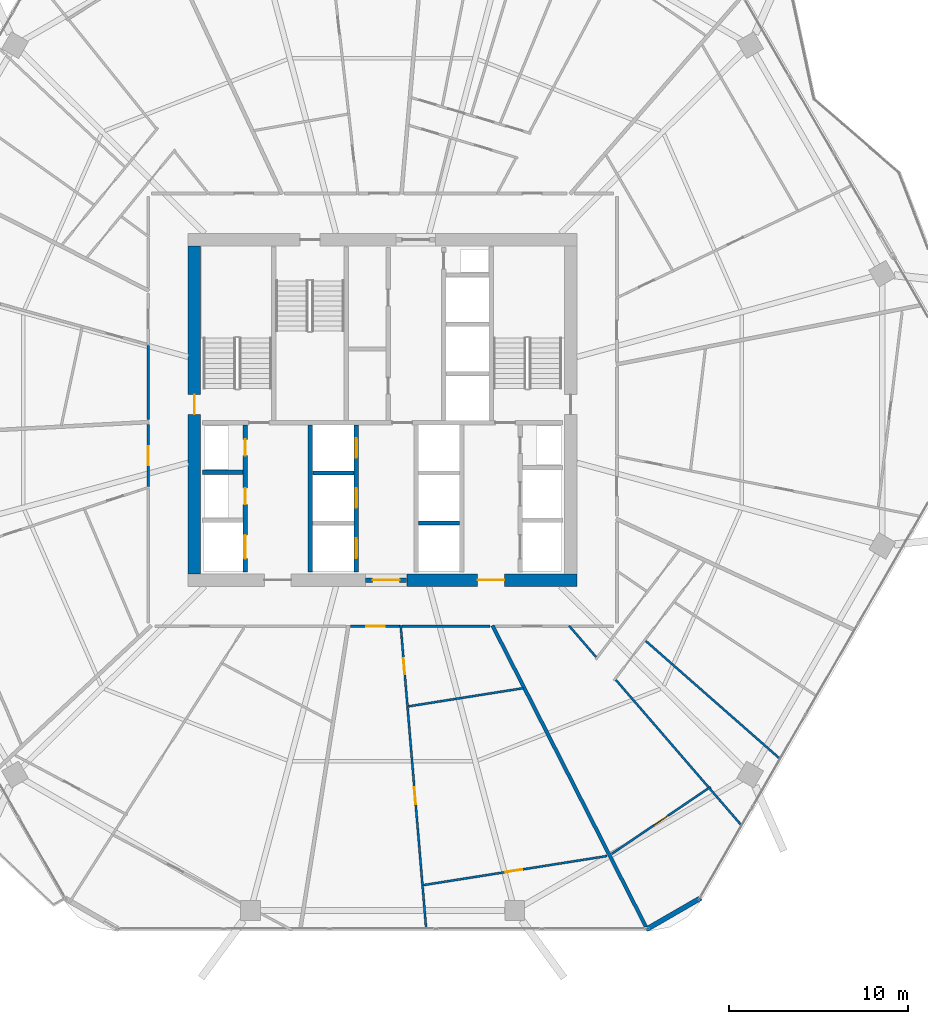
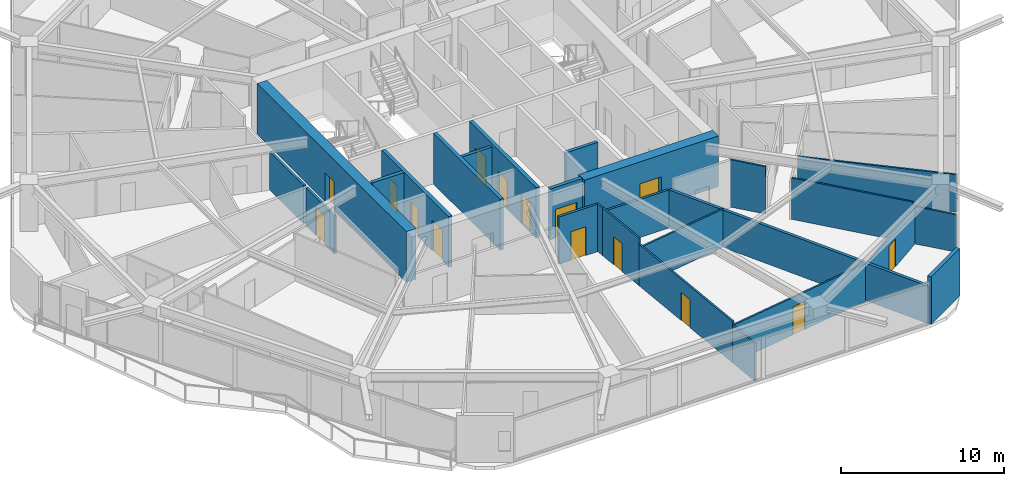
# One storey, part 22 of 29: 26 walls, 15 doors, 15 openings.
"""IFC4 building model written with IfcOpenShell, lengths in metres."""

from ifc_helpers import new_model, si_unit, direction, frame, frame_2d, origin, place, context, subcontext, project, spatial, rectangle, extrude, material, layer, layer_set, type_object, element, fill, save


model = new_model("IFC4")

# Units and contexts
model_context = context("Model", 3, precision=1e-05, world=origin(), true_north=direction((0.0, 1.0)))
body_context = subcontext(model_context, "Body", "Model", "MODEL_VIEW")
ifc_project = project(units=[si_unit("LENGTHUNIT", "METRE"), si_unit("AREAUNIT", "SQUARE_METRE"), si_unit("VOLUMEUNIT", "CUBIC_METRE"), si_unit("PLANEANGLEUNIT", "RADIAN"), si_unit("MASSUNIT", "GRAM", prefix="KILO")], contexts=[model_context])

# Site, building, storey
site_placement = place(None, origin())
site = spatial("IfcSite", under=ifc_project, at=site_placement, CompositionType="ELEMENT")
building_placement = place(site_placement, origin())
building = spatial("IfcBuilding", under=site, at=building_placement, Name="Zuhravey Tower", CompositionType="ELEMENT")
storey_placement = place(building_placement, frame((0.0, 0.0, 134.199951171875)))
storey = spatial("IfcBuildingStorey", under=building, at=storey_placement, Name="L33", CompositionType="ELEMENT", Elevation=134.199951171875)

# Wall, opening, door
ifc_material_1 = material(Name="Concrete C60/75", Category="concrete")
ifc_layer_1 = layer(ifc_material_1, 0.699951171875)
ifc_layer_set_1 = layer_set([ifc_layer_1], Name="Concrete C60/75")
wall_type_1 = type_object("IfcWallType", Name="Core Shear Wall 700", PredefinedType="SHEAR", material=ifc_layer_set_1)
wall_1_placement = place(storey_placement, frame((37.35009765625, 22.5, 0.0), z_axis=(0.0, 0.0, 1.0), x_axis=(1.0, 0.0, 0.0)))
wall_1 = element("IfcWall", 1, at=wall_1_placement, inside=storey, type_object=wall_type_1, Name="L33 South-East Core Shear Wall CW70", PredefinedType="SHEAR", context=body_context, shape_type="SweptSolid", body=[
    extrude(rectangle(XDim=9.5, YDim=0.699951171875, at=frame_2d((4.75, 0.0))), origin(), (0.0, 0.0, 1.0), 3.800048828125),
])
opening_1_placement = place(wall_1_placement, frame((3.949951171875, 0.0, 0.0)))
opening_1 = element("IfcOpeningElement", 2, at=opening_1_placement, cuts=wall_1, Name="Opening FFD1", PredefinedType="OPENING", context=body_context, shape_type="SweptSolid", body=[
    extrude(rectangle(XDim=1.5, YDim=2.14990234375, at=frame_2d((0.75, 1.074951171875))), frame((0.0, 0.362060546875, 0.0), z_axis=(0.0, -1.0, 0.0), x_axis=(1.0, 0.0, 0.0)), (0.0, 0.0, 1.0), 0.723876953125),
])
ifc_material_2 = material(Name="Galvanised fire-rated steel leaf", Category="steel")
door_type_1 = type_object("IfcDoorType", Name="Firefighting Lobby Double Door 1500x2150", OperationType="DOUBLE_DOOR_SINGLE_SWING", PredefinedType="DOOR", material=ifc_material_2)
door_1_placement = place(opening_1_placement, origin())
door_1 = element("IfcDoor", 3, at=door_1_placement, inside=storey, type_object=door_type_1, Name="L33 Firefighting Lobby East Door", OperationType="DOUBLE_DOOR_SINGLE_SWING", OverallHeight=2.14990234375, OverallWidth=1.5, PredefinedType="DOOR", context=body_context, shape_type="SweptSolid", body=[
    extrude(rectangle(XDim=1.5, YDim=2.14990234375, at=frame_2d((0.75, 1.074951171875))), frame((0.0, 0.02490234375, 0.0), z_axis=(0.0, -1.0, 0.0), x_axis=(1.0, 0.0, 0.0)), (0.0, 0.0, 1.0), 0.050048828125),
])
fill(opening_1, door_1)

wall_2_placement = place(storey_placement, frame((25.5, 22.85009765625, 0.0), z_axis=(0.0, 0.0, 1.0), x_axis=(0.0, 1.0, 0.0)))
wall_2 = element("IfcWall", 4, at=wall_2_placement, inside=storey, type_object=wall_type_1, Name="L33 West Core Shear Wall CW70", PredefinedType="SHEAR", context=body_context, shape_type="SweptSolid", body=[
    extrude(rectangle(XDim=18.2998046875, YDim=0.699951171875, at=frame_2d((9.14990234375, 0.0))), origin(), (0.0, 0.0, 1.0), 3.800048828125),
])
opening_2_placement = place(wall_2_placement, frame((8.89990234375, 0.0, 0.0)))
opening_2 = element("IfcOpeningElement", 5, at=opening_2_placement, cuts=wall_2, Name="Opening STD1", PredefinedType="OPENING", context=body_context, shape_type="SweptSolid", body=[
    extrude(rectangle(XDim=1.10009765625, YDim=2.14990234375, at=frame_2d((0.550048828125, 1.074951171875))), frame((0.0, 0.362060546875, 0.0), z_axis=(0.0, -1.0, 0.0), x_axis=(1.0, 0.0, 0.0)), (0.0, 0.0, 1.0), 0.723876953125),
])
door_type_2 = type_object("IfcDoorType", Name="Protected Stair Fire Door 1100x2150", OperationType="NOTDEFINED", PredefinedType="USERDEFINED", material=ifc_material_2)
door_2_placement = place(opening_2_placement, frame((1.10009765625, 0.0, 0.0), z_axis=(0.0, 0.0, 1.0), x_axis=(-1.0, 0.0, 0.0)))
door_2 = element("IfcDoor", 6, at=door_2_placement, inside=storey, type_object=door_type_2, Name="L33 Stair ST1 Door", ObjectType="EXITDOOR", OperationType="SINGLE_SWING_LEFT", OverallHeight=2.14990234375, OverallWidth=1.10009765625, PredefinedType="USERDEFINED", context=body_context, shape_type="SweptSolid", body=[
    extrude(rectangle(XDim=1.10009765625, YDim=2.14990234375, at=frame_2d((0.550048828125, 1.074951171875))), frame((0.0, 0.02490234375, 0.0), z_axis=(0.0, -1.0, 0.0), x_axis=(1.0, 0.0, 0.0)), (0.0, 0.0, 1.0), 0.050048828125),
])
fill(opening_2, door_2)

ifc_material_3 = material(Name="Gypsum fire-rated stud partition")
ifc_layer_2 = layer(ifc_material_3, 0.159912109375)
ifc_layer_set_2 = layer_set([ifc_layer_2], Name="Gypsum fire-rated stud partition")
wall_type_2 = type_object("IfcWallType", Name="Corridor Fire Partition 160", PredefinedType="PARTITIONING", material=ifc_layer_set_2)
wall_3_placement = place(storey_placement, frame((22.919921875, 31.179931640625, 0.0), z_axis=(0.0, 0.0, 1.0), x_axis=(0.0, -1.0, 0.0)))
wall_3 = element("IfcWall", 7, at=wall_3_placement, inside=storey, type_object=wall_type_2, Name="L33 IW16 Partition 048", PredefinedType="PARTITIONING", context=body_context, shape_type="SweptSolid", body=[
    extrude(rectangle(XDim=3.48974609375, YDim=0.159912109375, at=frame_2d((1.744873046875, 0.0))), origin(), (0.0, 0.0, 1.0), 2.85009765625),
])
opening_3_placement = place(wall_3_placement, frame((1.219970703125, 0.0, 0.0)))
opening_3 = element("IfcOpeningElement", 8, at=opening_3_placement, cuts=wall_3, Name="Opening APD1", PredefinedType="OPENING", context=body_context, shape_type="SweptSolid", body=[
    extrude(rectangle(XDim=1.050048828125, YDim=2.14990234375, at=frame_2d((0.52490234375, 1.074951171875))), frame((0.0, 0.092041015625, 0.0), z_axis=(0.0, -1.0, 0.0), x_axis=(1.0, 0.0, 0.0)), (0.0, 0.0, 1.0), 0.183837890625),
])
ifc_material_4 = material(Name="Solid-core oak fire-rated leaf")
door_type_3 = type_object("IfcDoorType", Name="Apartment Entrance Fire Door 1050x2150", OperationType="NOTDEFINED", PredefinedType="DOOR", material=ifc_material_4)
door_3_placement = place(opening_3_placement, frame((1.050048828125, 0.0, 0.0), z_axis=(0.0, 0.0, 1.0), x_axis=(-1.0, 0.0, 0.0)))
door_3 = element("IfcDoor", 9, at=door_3_placement, inside=storey, type_object=door_type_3, Name="L33 Door 048.1", OperationType="SINGLE_SWING_LEFT", OverallHeight=2.14990234375, OverallWidth=1.050048828125, PredefinedType="DOOR", context=body_context, shape_type="SweptSolid", body=[
    extrude(rectangle(XDim=1.050048828125, YDim=2.14990234375, at=frame_2d((0.52490234375, 1.074951171875))), frame((0.0, 0.02490234375, 0.0), z_axis=(0.0, -1.0, 0.0), x_axis=(1.0, 0.0, 0.0)), (0.0, 0.0, 1.0), 0.050048828125),
])
fill(opening_3, door_3)

wall_4_placement = place(storey_placement, frame((34.21484375, 19.919921875, 0.0), z_axis=(0.0, 0.0, 1.0), x_axis=(1.0, 0.0, 0.0)))
wall_4 = element("IfcWall", 10, at=wall_4_placement, inside=storey, type_object=wall_type_2, Name="L33 IW16 Partition 058", PredefinedType="PARTITIONING", context=body_context, shape_type="SweptSolid", body=[
    extrude(rectangle(XDim=2.779541015625, YDim=0.159912109375, at=frame_2d((1.3896484375, 0.0))), origin(), (0.0, 0.0, 1.0), 3.550048828125),
])
opening_4_placement = place(wall_4_placement, frame((0.86474609375, 0.0, 0.0)))
opening_4 = element("IfcOpeningElement", 11, at=opening_4_placement, cuts=wall_4, Name="Opening APD1", PredefinedType="OPENING", context=body_context, shape_type="SweptSolid", body=[
    extrude(rectangle(XDim=1.050048828125, YDim=2.14990234375, at=frame_2d((0.52490234375, 1.074951171875))), frame((0.0, 0.092041015625, 0.0), z_axis=(0.0, -1.0, 0.0), x_axis=(1.0, 0.0, 0.0)), (0.0, 0.0, 1.0), 0.183837890625),
])
door_4_placement = place(opening_4_placement, frame((1.050048828125, 0.0, 0.0), z_axis=(0.0, 0.0, 1.0), x_axis=(-1.0, 0.0, 0.0)))
door_4 = element("IfcDoor", 12, at=door_4_placement, inside=storey, type_object=door_type_3, Name="L33 Door 058.1", OperationType="SINGLE_SWING_RIGHT", OverallHeight=2.14990234375, OverallWidth=1.050048828125, PredefinedType="DOOR", context=body_context, shape_type="SweptSolid", body=[
    extrude(rectangle(XDim=1.050048828125, YDim=2.14990234375, at=frame_2d((0.52490234375, 1.074951171875))), frame((0.0, 0.02490234375, 0.0), z_axis=(0.0, -1.0, 0.0), x_axis=(1.0, 0.0, 0.0)), (0.0, 0.0, 1.0), 0.050048828125),
])
fill(opening_4, door_4)

# Walls
wall_5_placement = place(storey_placement, frame((22.919921875, 35.601806640625, 0.0), z_axis=(0.0, 0.0, 1.0), x_axis=(0.0, -1.0, 0.0)))
element("IfcWall", 13, at=wall_5_placement, inside=storey, type_object=wall_type_2, Name="L33 IW16 Partition 136", PredefinedType="PARTITIONING", context=body_context, shape_type="SweptSolid", body=[
    extrude(rectangle(XDim=4.15283203125, YDim=0.159912109375, at=frame_2d((2.076416015625, 0.0))), origin(), (0.0, 0.0, 1.0), 2.85009765625),
])
wall_6_placement = place(storey_placement, frame((37.08251953125, 19.919921875, 0.0), z_axis=(0.0, 0.0, 1.0), x_axis=(1.0, 0.0, 0.0)))
element("IfcWall", 14, at=wall_6_placement, inside=storey, type_object=wall_type_2, Name="L33 IW16 Partition 139", PredefinedType="PARTITIONING", context=body_context, shape_type="SweptSolid", body=[
    extrude(rectangle(XDim=4.91796875, YDim=0.159912109375, at=frame_2d((2.458984375, 0.0))), origin(), (0.0, 0.0, 1.0), 2.85009765625),
])
ifc_material_5 = material(Name="Precast concrete C40/50", Category="concrete")
ifc_layer_3 = layer(ifc_material_5, 0.280029296875)
ifc_layer_set_3 = layer_set([ifc_layer_3], Name="Precast concrete C40/50")
wall_type_3 = type_object("IfcWallType", Name="Crown Architectural Wall 280", PredefinedType="SOLIDWALL", material=ifc_layer_set_3)
wall_7_placement = place(storey_placement, frame((53.76123046875, 4.75146484375, 0.0), z_axis=(0.0, 0.0, 1.0), x_axis=(-0.866007452331, -0.500031091541, 0.0)))
element("IfcWall", 15, at=wall_7_placement, inside=storey, type_object=wall_type_3, Name="L33 Rounded Corner Closure Wall EW28-02", PredefinedType="SOLIDWALL", context=body_context, shape_type="SweptSolid", body=[
    extrude(rectangle(XDim=3.514892578125, YDim=0.280029296875, at=frame_2d((1.75732421875, 0.0))), origin(), (0.0, 0.0, 1.0), 3.550048828125),
])

# Wall, opening, door
ifc_material_6 = material(Name="Concrete C50/60", Category="concrete")
ifc_layer_4 = layer(ifc_material_6, 0.25)
ifc_layer_set_4 = layer_set([ifc_layer_4], Name="Concrete C50/60")
wall_type_4 = type_object("IfcWallType", Name="Firefighting Shaft & Stair Wall 250", PredefinedType="SOLIDWALL", material=ifc_layer_set_4)
wall_8_placement = place(storey_placement, frame((35.06005859375, 22.5, 0.0), z_axis=(0.0, 0.0, 1.0), x_axis=(1.0, 0.0, 0.0)))
wall_8 = element("IfcWall", 16, at=wall_8_placement, inside=storey, type_object=wall_type_4, Name="L33 FW25 Shaft Wall 001", PredefinedType="SOLIDWALL", context=body_context, shape_type="SweptSolid", body=[
    extrude(rectangle(XDim=2.280029296875, YDim=0.25, at=frame_2d((1.14013671875, 0.0))), origin(), (0.0, 0.0, 1.0), 3.800048828125),
])
opening_5_placement = place(wall_8_placement, frame((0.389892578125, 0.0, 0.0)))
opening_5 = element("IfcOpeningElement", 17, at=opening_5_placement, cuts=wall_8, Name="Opening FFD1", PredefinedType="OPENING", context=body_context, shape_type="SweptSolid", body=[
    extrude(rectangle(XDim=1.5, YDim=2.14990234375, at=frame_2d((0.75, 1.074951171875))), frame((0.0, 0.136962890625, 0.0), z_axis=(0.0, -1.0, 0.0), x_axis=(1.0, 0.0, 0.0)), (0.0, 0.0, 1.0), 0.27392578125),
])
door_5_placement = place(opening_5_placement, frame((1.5, 0.0, 0.0), z_axis=(0.0, 0.0, 1.0), x_axis=(-1.0, 0.0, 0.0)))
door_5 = element("IfcDoor", 18, at=door_5_placement, inside=storey, type_object=door_type_1, Name="L33 South Lift Lobby Exit Door", OperationType="DOUBLE_DOOR_SINGLE_SWING", OverallHeight=2.14990234375, OverallWidth=1.5, PredefinedType="DOOR", context=body_context, shape_type="SweptSolid", body=[
    extrude(rectangle(XDim=1.5, YDim=2.14990234375, at=frame_2d((0.75, 1.074951171875))), frame((0.0, 0.02490234375, 0.0), z_axis=(0.0, -1.0, 0.0), x_axis=(1.0, 0.0, 0.0)), (0.0, 0.0, 1.0), 0.050048828125),
])
fill(opening_5, door_5)

# Wall
wall_9_placement = place(storey_placement, frame((25.949951171875, 28.52490234375, 0.0), z_axis=(0.0, 0.0, 1.0), x_axis=(1.0, 0.0, 0.0)))
element("IfcWall", 19, at=wall_9_placement, inside=storey, type_object=wall_type_4, Name="L33 FW25 Shaft Wall 010", PredefinedType="SOLIDWALL", context=body_context, shape_type="SweptSolid", body=[
    extrude(rectangle(XDim=2.25, YDim=0.25, at=frame_2d((1.125, 0.0))), origin(), (0.0, 0.0, 1.0), 3.800048828125),
])

# Wall, openings, doors
wall_10_placement = place(storey_placement, frame((28.324951171875, 22.949951171875, 0.0), z_axis=(0.0, 0.0, 1.0), x_axis=(0.0, 1.0, 0.0)))
wall_10 = element("IfcWall", 20, at=wall_10_placement, inside=storey, type_object=wall_type_4, Name="L33 FW25 Shaft Wall 011", PredefinedType="SOLIDWALL", context=body_context, shape_type="SweptSolid", body=[
    extrude(rectangle(XDim=8.199951171875, YDim=0.25, at=frame_2d((4.10009765625, 0.0))), origin(), (0.0, 0.0, 1.0), 3.800048828125),
])
opening_6_placement = place(wall_10_placement, frame((0.75, 0.0, 0.0)))
opening_6 = element("IfcOpeningElement", 21, at=opening_6_placement, cuts=wall_10, Name="Opening LD2", PredefinedType="OPENING", context=body_context, shape_type="SweptSolid", body=[
    extrude(rectangle(XDim=1.300048828125, YDim=2.300048828125, at=frame_2d((0.64990234375, 1.14990234375))), frame((0.0, 0.136962890625, 0.0), z_axis=(0.0, -1.0, 0.0), x_axis=(1.0, 0.0, 0.0)), (0.0, 0.0, 1.0), 0.27392578125),
])
opening_7_placement = place(wall_10_placement, frame((3.780029296875, 0.0, 0.0)))
opening_7 = element("IfcOpeningElement", 22, at=opening_7_placement, cuts=wall_10, Name="Opening RSD1", PredefinedType="OPENING", context=body_context, shape_type="SweptSolid", body=[
    extrude(rectangle(XDim=0.89990234375, YDim=2.10009765625, at=frame_2d((0.449951171875, 1.050048828125))), frame((0.0, 0.136962890625, 0.0), z_axis=(0.0, -1.0, 0.0), x_axis=(1.0, 0.0, 0.0)), (0.0, 0.0, 1.0), 0.27392578125),
])
opening_8_placement = place(wall_10_placement, frame((6.5, 0.0, 0.0)))
opening_8 = element("IfcOpeningElement", 23, at=opening_8_placement, cuts=wall_10, Name="Opening RSD1", PredefinedType="OPENING", context=body_context, shape_type="SweptSolid", body=[
    extrude(rectangle(XDim=0.89990234375, YDim=2.10009765625, at=frame_2d((0.449951171875, 1.050048828125))), frame((0.0, 0.136962890625, 0.0), z_axis=(0.0, -1.0, 0.0), x_axis=(1.0, 0.0, 0.0)), (0.0, 0.0, 1.0), 0.27392578125),
])
ifc_material_7 = material(Name="Brushed stainless steel", Category="steel")
door_type_4 = type_object("IfcDoorType", Name="Freight & Stretcher Lift Sliding Door 1300x2300", OperationType="DOUBLE_DOOR_SLIDING", PredefinedType="DOOR", material=ifc_material_7)
door_6_placement = place(opening_6_placement, frame((1.300048828125, 0.0, 0.0), z_axis=(0.0, 0.0, 1.0), x_axis=(-1.0, 0.0, 0.0)))
door_6 = element("IfcDoor", 24, at=door_6_placement, inside=storey, type_object=door_type_4, Name="L33 Lift FF1 Landing Door", OperationType="DOUBLE_DOOR_SLIDING", OverallHeight=2.300048828125, OverallWidth=1.300048828125, PredefinedType="DOOR", context=body_context, shape_type="SweptSolid", body=[
    extrude(rectangle(XDim=1.300048828125, YDim=2.300048828125, at=frame_2d((0.64990234375, 1.14990234375))), frame((0.0, 0.02490234375, 0.0), z_axis=(0.0, -1.0, 0.0), x_axis=(1.0, 0.0, 0.0)), (0.0, 0.0, 1.0), 0.050048828125),
])
fill(opening_6, door_6)
ifc_material_8 = material(Name="Galvanised fire-rated steel access leaf", Category="steel")
door_type_5 = type_object("IfcDoorType", Name="Riser & Shaft Access Fire Door 900x2100", OperationType="NOTDEFINED", PredefinedType="DOOR", material=ifc_material_8)
door_7_placement = place(opening_7_placement, frame((0.89990234375, 0.0, 0.0), z_axis=(0.0, 0.0, 1.0), x_axis=(-1.0, 0.0, 0.0)))
door_7 = element("IfcDoor", 25, at=door_7_placement, inside=storey, type_object=door_type_5, Name="L33 Electrical Riser Door", OperationType="SINGLE_SWING_RIGHT", OverallHeight=2.10009765625, OverallWidth=0.89990234375, PredefinedType="DOOR", context=body_context, shape_type="SweptSolid", body=[
    extrude(rectangle(XDim=0.89990234375, YDim=2.10009765625, at=frame_2d((0.449951171875, 1.050048828125))), frame((0.0, 0.02490234375, 0.0), z_axis=(0.0, -1.0, 0.0), x_axis=(1.0, 0.0, 0.0)), (0.0, 0.0, 1.0), 0.050048828125),
])
fill(opening_7, door_7)
door_8_placement = place(opening_8_placement, frame((0.89990234375, 0.0, 0.0), z_axis=(0.0, 0.0, 1.0), x_axis=(-1.0, 0.0, 0.0)))
door_8 = element("IfcDoor", 26, at=door_8_placement, inside=storey, type_object=door_type_5, Name="L33 Smoke Shaft Access Door", OperationType="SINGLE_SWING_LEFT", OverallHeight=2.10009765625, OverallWidth=0.89990234375, PredefinedType="DOOR", context=body_context, shape_type="SweptSolid", body=[
    extrude(rectangle(XDim=0.89990234375, YDim=2.10009765625, at=frame_2d((0.449951171875, 1.050048828125))), frame((0.0, 0.02490234375, 0.0), z_axis=(0.0, -1.0, 0.0), x_axis=(1.0, 0.0, 0.0)), (0.0, 0.0, 1.0), 0.050048828125),
])
fill(opening_8, door_8)

# Wall
wall_11_placement = place(storey_placement, frame((31.97509765625, 22.949951171875, 0.0), z_axis=(0.0, 0.0, 1.0), x_axis=(0.0, 1.0, 0.0)))
element("IfcWall", 27, at=wall_11_placement, inside=storey, type_object=wall_type_4, Name="L33 FW25 Shaft Wall 012", PredefinedType="SOLIDWALL", context=body_context, shape_type="SweptSolid", body=[
    extrude(rectangle(XDim=8.199951171875, YDim=0.25, at=frame_2d((4.10009765625, 0.0))), origin(), (0.0, 0.0, 1.0), 3.800048828125),
])

# Wall, openings, doors
wall_12_placement = place(storey_placement, frame((34.52490234375, 22.949951171875, 0.0), z_axis=(0.0, 0.0, 1.0), x_axis=(0.0, 1.0, 0.0)))
wall_12 = element("IfcWall", 28, at=wall_12_placement, inside=storey, type_object=wall_type_4, Name="L33 FW25 Shaft Wall 013", PredefinedType="SOLIDWALL", context=body_context, shape_type="SweptSolid", body=[
    extrude(rectangle(XDim=8.199951171875, YDim=0.25, at=frame_2d((4.10009765625, 0.0))), origin(), (0.0, 0.0, 1.0), 3.800048828125),
])
opening_9_placement = place(wall_12_placement, frame((0.77490234375, 0.0, 0.0)))
opening_9 = element("IfcOpeningElement", 29, at=opening_9_placement, cuts=wall_12, Name="Opening LD1", PredefinedType="OPENING", context=body_context, shape_type="SweptSolid", body=[
    extrude(rectangle(XDim=1.10009765625, YDim=2.199951171875, at=frame_2d((0.550048828125, 1.10009765625))), frame((0.0, 0.136962890625, 0.0), z_axis=(0.0, -1.0, 0.0), x_axis=(1.0, 0.0, 0.0)), (0.0, 0.0, 1.0), 0.27392578125),
])
opening_10_placement = place(wall_12_placement, frame((3.574951171875, 0.0, 0.0)))
opening_10 = element("IfcOpeningElement", 30, at=opening_10_placement, cuts=wall_12, Name="Opening LD1", PredefinedType="OPENING", context=body_context, shape_type="SweptSolid", body=[
    extrude(rectangle(XDim=1.10009765625, YDim=2.199951171875, at=frame_2d((0.550048828125, 1.10009765625))), frame((0.0, 0.136962890625, 0.0), z_axis=(0.0, -1.0, 0.0), x_axis=(1.0, 0.0, 0.0)), (0.0, 0.0, 1.0), 0.27392578125),
])
opening_11_placement = place(wall_12_placement, frame((6.375, 0.0, 0.0)))
opening_11 = element("IfcOpeningElement", 31, at=opening_11_placement, cuts=wall_12, Name="Opening LD1", PredefinedType="OPENING", context=body_context, shape_type="SweptSolid", body=[
    extrude(rectangle(XDim=1.10009765625, YDim=2.199951171875, at=frame_2d((0.550048828125, 1.10009765625))), frame((0.0, 0.136962890625, 0.0), z_axis=(0.0, -1.0, 0.0), x_axis=(1.0, 0.0, 0.0)), (0.0, 0.0, 1.0), 0.27392578125),
])
door_type_6 = type_object("IfcDoorType", Name="Lift Landing Sliding Door 1100x2200", OperationType="DOUBLE_DOOR_SLIDING", PredefinedType="DOOR", material=ifc_material_7)
door_9_placement = place(opening_9_placement, frame((1.10009765625, 0.0, 0.0), z_axis=(0.0, 0.0, 1.0), x_axis=(-1.0, 0.0, 0.0)))
door_9 = element("IfcDoor", 32, at=door_9_placement, inside=storey, type_object=door_type_6, Name="L33 Lift PL1 Landing Door", OperationType="DOUBLE_DOOR_SLIDING", OverallHeight=2.199951171875, OverallWidth=1.10009765625, PredefinedType="DOOR", context=body_context, shape_type="SweptSolid", body=[
    extrude(rectangle(XDim=1.10009765625, YDim=2.199951171875, at=frame_2d((0.550048828125, 1.10009765625))), frame((0.0, 0.02490234375, 0.0), z_axis=(0.0, -1.0, 0.0), x_axis=(1.0, 0.0, 0.0)), (0.0, 0.0, 1.0), 0.050048828125),
])
fill(opening_9, door_9)
door_10_placement = place(opening_10_placement, frame((1.10009765625, 0.0, 0.0), z_axis=(0.0, 0.0, 1.0), x_axis=(-1.0, 0.0, 0.0)))
door_10 = element("IfcDoor", 33, at=door_10_placement, inside=storey, type_object=door_type_6, Name="L33 Lift PL2 Landing Door", OperationType="DOUBLE_DOOR_SLIDING", OverallHeight=2.199951171875, OverallWidth=1.10009765625, PredefinedType="DOOR", context=body_context, shape_type="SweptSolid", body=[
    extrude(rectangle(XDim=1.10009765625, YDim=2.199951171875, at=frame_2d((0.550048828125, 1.10009765625))), frame((0.0, 0.02490234375, 0.0), z_axis=(0.0, -1.0, 0.0), x_axis=(1.0, 0.0, 0.0)), (0.0, 0.0, 1.0), 0.050048828125),
])
fill(opening_10, door_10)
door_11_placement = place(opening_11_placement, frame((1.10009765625, 0.0, 0.0), z_axis=(0.0, 0.0, 1.0), x_axis=(-1.0, 0.0, 0.0)))
door_11 = element("IfcDoor", 34, at=door_11_placement, inside=storey, type_object=door_type_6, Name="L33 Lift PL3 Landing Door", OperationType="DOUBLE_DOOR_SLIDING", OverallHeight=2.199951171875, OverallWidth=1.10009765625, PredefinedType="DOOR", context=body_context, shape_type="SweptSolid", body=[
    extrude(rectangle(XDim=1.10009765625, YDim=2.199951171875, at=frame_2d((0.550048828125, 1.10009765625))), frame((0.0, 0.02490234375, 0.0), z_axis=(0.0, -1.0, 0.0), x_axis=(1.0, 0.0, 0.0)), (0.0, 0.0, 1.0), 0.050048828125),
])
fill(opening_11, door_11)

# Walls
ifc_material_9 = material(Name="Gypsum double-stud party assembly")
ifc_layer_5 = layer(ifc_material_9, 0.199951171875)
ifc_layer_set_5 = layer_set([ifc_layer_5], Name="Gypsum double-stud party assembly")
wall_type_5 = type_object("IfcWallType", Name="Inter-Tenancy Party Wall 200", PredefinedType="PARTITIONING", material=ifc_layer_set_5)
wall_13_placement = place(storey_placement, frame((42.134765625, 19.9599609375, 0.0), z_axis=(0.0, 0.0, 1.0), x_axis=(0.453989534113, -0.891007016199, 0.0)))
element("IfcWall", 35, at=wall_13_placement, inside=storey, type_object=wall_type_5, Name="L33 IW20 Partition 117", PredefinedType="PARTITIONING", context=body_context, shape_type="SweptSolid", body=[
    extrude(rectangle(XDim=18.988037109375, YDim=0.199951171875, at=frame_2d((9.494140625, 0.0))), origin(), (0.0, 0.0, 1.0), 2.800048828125),
])
ifc_material_10 = material(Name="Gypsum acoustic stud assembly")
ifc_layer_6 = layer(ifc_material_10, 0.219970703125)
ifc_layer_set_6 = layer_set([ifc_layer_6], Name="Gypsum acoustic stud assembly")
wall_type_6 = type_object("IfcWallType", Name="School Acoustic Compartment Wall 220", PredefinedType="PARTITIONING", material=ifc_layer_set_6)
wall_14_placement = place(storey_placement, frame((32.10791015625, 28.47509765625, 0.0), z_axis=(0.0, 0.0, 1.0), x_axis=(1.0, 0.0, 0.0)))
element("IfcWall", 36, at=wall_14_placement, inside=storey, type_object=wall_type_6, Name="L33 IW22 Partition 072", PredefinedType="PARTITIONING", context=body_context, shape_type="SweptSolid", body=[
    extrude(rectangle(XDim=2.2841796875, YDim=0.219970703125, at=frame_2d((1.14208984375, 0.0))), origin(), (0.0, 0.0, 1.0), 3.550048828125),
])
wall_15_placement = place(storey_placement, frame((38.008056640625, 25.675048828125, 0.0), z_axis=(0.0, 0.0, 1.0), x_axis=(1.0, 0.0, 0.0)))
element("IfcWall", 37, at=wall_15_placement, inside=storey, type_object=wall_type_6, Name="L33 IW22 Partition 073", PredefinedType="PARTITIONING", context=body_context, shape_type="SweptSolid", body=[
    extrude(rectangle(XDim=2.283935546875, YDim=0.219970703125, at=frame_2d((1.14208984375, 0.0))), origin(), (0.0, 0.0, 1.0), 3.550048828125),
])

# Wall, opening, door
ifc_material_11 = material(Name="Gypsum metal-stud partition")
ifc_layer_7 = layer(ifc_material_11, 0.1201171875)
ifc_layer_set_7 = layer_set([ifc_layer_7], Name="Gypsum metal-stud partition")
wall_type_7 = type_object("IfcWallType", Name="Unit Internal Partition 120", PredefinedType="PARTITIONING", material=ifc_layer_set_7)
wall_16_placement = place(storey_placement, frame((37.062255859375, 19.35009765625, 0.0), z_axis=(0.0, 0.0, 1.0), x_axis=(0.083695140781, -0.996491406591, 0.0)))
wall_16 = element("IfcWall", 38, at=wall_16_placement, inside=storey, type_object=wall_type_7, Name="L33 IW12 Partition 055", PredefinedType="PARTITIONING", context=body_context, shape_type="SweptSolid", body=[
    extrude(rectangle(XDim=3.94970703125, YDim=0.1201171875, at=frame_2d((1.974853515625, 0.0))), origin(), (0.0, 0.0, 1.0), 3.550048828125),
])
opening_12_placement = place(wall_16_placement, frame((1.208984375, 0.0, 0.0)))
opening_12 = element("IfcOpeningElement", 39, at=opening_12_placement, cuts=wall_16, Name="Opening WCD1", PredefinedType="OPENING", context=body_context, shape_type="SweptSolid", body=[
    extrude(rectangle(XDim=0.89990234375, YDim=2.10009765625, at=frame_2d((0.449951171875, 1.050048828125))), frame((0.0, 0.072021484375, 0.0), z_axis=(0.0, -1.0, 0.0), x_axis=(1.0, 0.0, 0.0)), (0.0, 0.0, 1.0), 0.14404296875),
])
ifc_material_12 = material(Name="Moisture-resistant timber leaf", Category="wood")
door_type_7 = type_object("IfcDoorType", Name="Bathroom & WC Internal Door 900x2100", OperationType="NOTDEFINED", PredefinedType="DOOR", material=ifc_material_12)
door_12_placement = place(opening_12_placement, origin())
door_12 = element("IfcDoor", 40, at=door_12_placement, inside=storey, type_object=door_type_7, Name="Apartment L33-08 Bathroom Door", OperationType="SINGLE_SWING_LEFT", OverallHeight=2.10009765625, OverallWidth=0.89990234375, PredefinedType="DOOR", context=body_context, shape_type="SweptSolid", body=[
    extrude(rectangle(XDim=0.89990234375, YDim=2.10009765625, at=frame_2d((0.449951171875, 1.050048828125))), frame((0.0, 0.02490234375, 0.0), z_axis=(0.0, -1.0, 0.0), x_axis=(1.0, 0.0, 0.0)), (0.0, 0.0, 1.0), 0.050048828125),
])
fill(opening_12, door_12)

wall_17_placement = place(storey_placement, frame((37.392822265625, 15.414306640625, 0.0), z_axis=(0.0, 0.0, 1.0), x_axis=(0.083660945701, -0.996494278039, 0.0)))
wall_17 = element("IfcWall", 41, at=wall_17_placement, inside=storey, type_object=wall_type_7, Name="L33 IW12 Partition 056", PredefinedType="PARTITIONING", context=body_context, shape_type="SweptSolid", body=[
    extrude(rectangle(XDim=10.012451171875, YDim=0.1201171875, at=frame_2d((5.00634765625, 0.0))), origin(), (0.0, 0.0, 1.0), 3.10009765625),
])
opening_13_placement = place(wall_17_placement, frame((4.506103515625, 0.0, 0.0)))
opening_13 = element("IfcOpeningElement", 42, at=opening_13_placement, cuts=wall_17, Name="Opening IND1", PredefinedType="OPENING", context=body_context, shape_type="SweptSolid", body=[
    extrude(rectangle(XDim=0.949951171875, YDim=2.10009765625, at=frame_2d((0.47509765625, 1.050048828125))), frame((0.0, 0.072021484375, 0.0), z_axis=(0.0, -1.0, 0.0), x_axis=(1.0, 0.0, 0.0)), (0.0, 0.0, 1.0), 0.14404296875),
])
ifc_material_13 = material(Name="Painted engineered timber leaf", Category="wood")
door_type_8 = type_object("IfcDoorType", Name="Internal Room & Bedroom Door 950x2100", OperationType="NOTDEFINED", PredefinedType="DOOR", material=ifc_material_13)
door_13_placement = place(opening_13_placement, origin())
door_13 = element("IfcDoor", 43, at=door_13_placement, inside=storey, type_object=door_type_8, Name="Apartment L33-08 Home Office Door", OperationType="SINGLE_SWING_RIGHT", OverallHeight=2.10009765625, OverallWidth=0.949951171875, PredefinedType="DOOR", context=body_context, shape_type="SweptSolid", body=[
    extrude(rectangle(XDim=0.949951171875, YDim=2.10009765625, at=frame_2d((0.47509765625, 1.050048828125))), frame((0.0, 0.02490234375, 0.0), z_axis=(0.0, -1.0, 0.0), x_axis=(1.0, 0.0, 0.0)), (0.0, 0.0, 1.0), 0.050048828125),
])
fill(opening_13, door_13)

wall_18_placement = place(storey_placement, frame((38.2958984375, 5.47265625, 0.0), z_axis=(0.0, 0.0, 1.0), x_axis=(0.987688342725, 0.156434451591, 0.0)))
wall_18 = element("IfcWall", 44, at=wall_18_placement, inside=storey, type_object=wall_type_7, Name="L33 IW12 Partition 057", PredefinedType="PARTITIONING", context=body_context, shape_type="SweptSolid", body=[
    extrude(rectangle(XDim=10.361328125, YDim=0.1201171875, at=frame_2d((5.1806640625, 0.0))), origin(), (0.0, 0.0, 1.0), 2.800048828125),
])
opening_14_placement = place(wall_18_placement, frame((4.62158203125, 0.0, 0.0)))
opening_14 = element("IfcOpeningElement", 45, at=opening_14_placement, cuts=wall_18, Name="Opening IND1", PredefinedType="OPENING", context=body_context, shape_type="SweptSolid", body=[
    extrude(rectangle(XDim=0.949951171875, YDim=2.10009765625, at=frame_2d((0.47509765625, 1.050048828125))), frame((0.0, 0.072021484375, 0.0), z_axis=(0.0, -1.0, 0.0), x_axis=(1.0, 0.0, 0.0)), (0.0, 0.0, 1.0), 0.14404296875),
])
door_14_placement = place(opening_14_placement, frame((0.949951171875, 0.0, 0.0), z_axis=(0.0, 0.0, 1.0), x_axis=(-1.0, 0.0, 0.0)))
door_14 = element("IfcDoor", 46, at=door_14_placement, inside=storey, type_object=door_type_8, Name="Apartment L33-08 Bedroom 1 Door", OperationType="SINGLE_SWING_LEFT", OverallHeight=2.10009765625, OverallWidth=0.949951171875, PredefinedType="DOOR", context=body_context, shape_type="SweptSolid", body=[
    extrude(rectangle(XDim=0.949951171875, YDim=2.10009765625, at=frame_2d((0.47509765625, 1.050048828125))), frame((0.0, 0.02490234375, 0.0), z_axis=(0.0, -1.0, 0.0), x_axis=(1.0, 0.0, 0.0)), (0.0, 0.0, 1.0), 0.050048828125),
])
fill(opening_14, door_14)

wall_19_placement = place(storey_placement, frame((48.791015625, 7.21240234375, 0.0), z_axis=(0.0, 0.0, 1.0), x_axis=(0.82746544618, 0.561516638559, 0.0)))
wall_19 = element("IfcWall", 47, at=wall_19_placement, inside=storey, type_object=wall_type_7, Name="L33 IW12 Partition 059", PredefinedType="PARTITIONING", context=body_context, shape_type="SweptSolid", body=[
    extrude(rectangle(XDim=6.66845703125, YDim=0.1201171875, at=frame_2d((3.334228515625, 0.0))), origin(), (0.0, 0.0, 1.0), 2.800048828125),
])
opening_15_placement = place(wall_19_placement, frame((2.859130859375, 0.0, 0.0)))
opening_15 = element("IfcOpeningElement", 48, at=opening_15_placement, cuts=wall_19, Name="Opening IND1", PredefinedType="OPENING", context=body_context, shape_type="SweptSolid", body=[
    extrude(rectangle(XDim=0.949951171875, YDim=2.10009765625, at=frame_2d((0.47509765625, 1.050048828125))), frame((0.0, 0.072021484375, 0.0), z_axis=(0.0, -1.0, 0.0), x_axis=(1.0, 0.0, 0.0)), (0.0, 0.0, 1.0), 0.14404296875),
])
door_15_placement = place(opening_15_placement, frame((0.949951171875, 0.0, 0.0), z_axis=(0.0, 0.0, 1.0), x_axis=(-1.0, 0.0, 0.0)))
door_15 = element("IfcDoor", 49, at=door_15_placement, inside=storey, type_object=door_type_8, Name="Apartment L33-09 Family Study Door", OperationType="SINGLE_SWING_LEFT", OverallHeight=2.10009765625, OverallWidth=0.949951171875, PredefinedType="DOOR", context=body_context, shape_type="SweptSolid", body=[
    extrude(rectangle(XDim=0.949951171875, YDim=2.10009765625, at=frame_2d((0.47509765625, 1.050048828125))), frame((0.0, 0.02490234375, 0.0), z_axis=(0.0, -1.0, 0.0), x_axis=(1.0, 0.0, 0.0)), (0.0, 0.0, 1.0), 0.050048828125),
])
fill(opening_15, door_15)

# Walls
wall_20_placement = place(storey_placement, frame((37.010498046875, 19.96484375, 0.0), z_axis=(0.0, 0.0, 1.0), x_axis=(0.083896973799, -0.996474434086, 0.0)))
element("IfcWall", 50, at=wall_20_placement, inside=storey, type_object=wall_type_7, Name="L33 IW12 Partition 114", PredefinedType="PARTITIONING", context=body_context, shape_type="SweptSolid", body=[
    extrude(rectangle(XDim=0.616943359375, YDim=0.1201171875, at=frame_2d((0.30859375, 0.0))), origin(), (0.0, 0.0, 1.0), 3.550048828125),
])
wall_21_placement = place(storey_placement, frame((38.230712890625, 5.43701171875, 0.0), z_axis=(0.0, 0.0, 1.0), x_axis=(0.083615836345, -0.996498064179, 0.0)))
element("IfcWall", 51, at=wall_21_placement, inside=storey, type_object=wall_type_7, Name="L33 IW12 Partition 115", PredefinedType="PARTITIONING", context=body_context, shape_type="SweptSolid", body=[
    extrude(rectangle(XDim=2.408935546875, YDim=0.1201171875, at=frame_2d((1.20458984375, 0.0))), origin(), (0.0, 0.0, 1.0), 2.800048828125),
])
wall_22_placement = place(storey_placement, frame((37.4580078125, 15.44970703125, 0.0), z_axis=(0.0, 0.0, 1.0), x_axis=(0.987687698578, 0.156438518521, 0.0)))
element("IfcWall", 52, at=wall_22_placement, inside=storey, type_object=wall_type_7, Name="L33 IW12 Partition 116", PredefinedType="PARTITIONING", context=body_context, shape_type="SweptSolid", body=[
    extrude(rectangle(XDim=6.479736328125, YDim=0.1201171875, at=frame_2d((3.23974609375, 0.0))), origin(), (0.0, 0.0, 1.0), 2.85009765625),
])
wall_23_placement = place(storey_placement, frame((50.687255859375, 19.102783203125, 0.0), z_axis=(0.0, 0.0, 1.0), x_axis=(0.75142693105, -0.659816313297, 0.0)))
element("IfcWall", 53, at=wall_23_placement, inside=storey, type_object=wall_type_7, Name="L33 IW12 Partition 119", PredefinedType="PARTITIONING", context=body_context, shape_type="SweptSolid", body=[
    extrude(rectangle(XDim=9.99365234375, YDim=0.1201171875, at=frame_2d((4.996826171875, 0.0))), origin(), (0.0, 0.0, 1.0), 2.800048828125),
])
wall_24_placement = place(storey_placement, frame((46.408203125, 19.95068359375, 0.0), z_axis=(0.0, 0.0, 1.0), x_axis=(0.653633631907, -0.756811122566, 0.0)))
element("IfcWall", 54, at=wall_24_placement, inside=storey, type_object=wall_type_7, Name="L33 IW12 Partition 121", PredefinedType="PARTITIONING", context=body_context, shape_type="SweptSolid", body=[
    extrude(rectangle(XDim=2.309326171875, YDim=0.1201171875, at=frame_2d((1.15478515625, 0.0))), origin(), (0.0, 0.0, 1.0), 3.550048828125),
])
wall_25_placement = place(storey_placement, frame((49.023681640625, 16.922607421875, 0.0), z_axis=(0.0, 0.0, 1.0), x_axis=(0.653686738758, -0.756765252619, 0.0)))
element("IfcWall", 55, at=wall_25_placement, inside=storey, type_object=wall_type_7, Name="L33 IW12 Partition 122", PredefinedType="PARTITIONING", context=body_context, shape_type="SweptSolid", body=[
    extrude(rectangle(XDim=7.889404296875, YDim=0.1201171875, at=frame_2d((3.94482421875, 0.0))), origin(), (0.0, 0.0, 1.0), 3.10009765625),
])
wall_26_placement = place(storey_placement, frame((54.2705078125, 10.848388671875, 0.0), z_axis=(0.0, 0.0, 1.0), x_axis=(0.653692329301, -0.756760423524, 0.0)))
element("IfcWall", 56, at=wall_26_placement, inside=storey, type_object=wall_type_7, Name="L33 IW12 Partition 123", PredefinedType="PARTITIONING", context=body_context, shape_type="SweptSolid", body=[
    extrude(rectangle(XDim=2.71923828125, YDim=0.1201171875, at=frame_2d((1.359619140625, 0.0))), origin(), (0.0, 0.0, 1.0), 2.800048828125),
])

save(model, "model.ifc")
